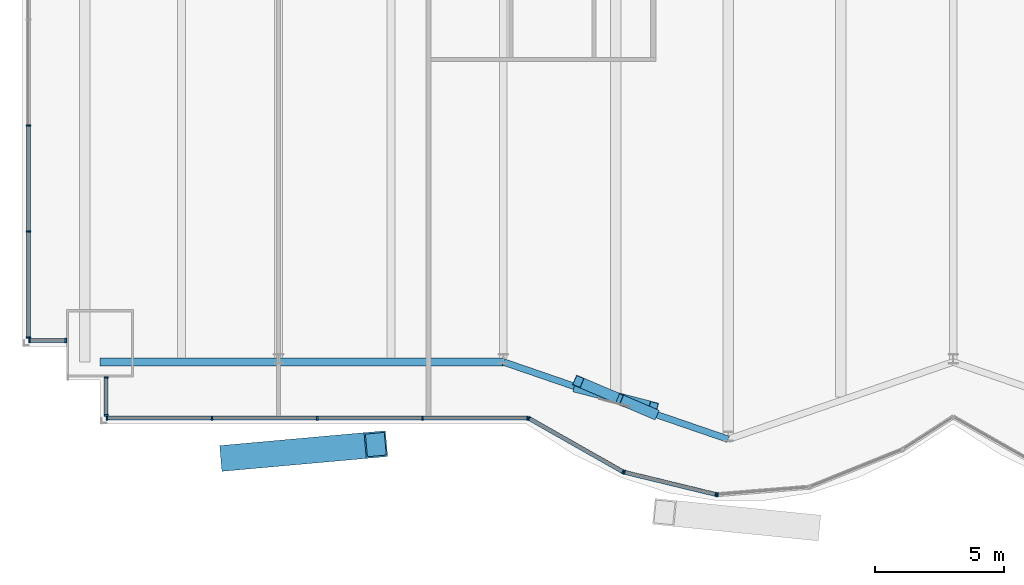
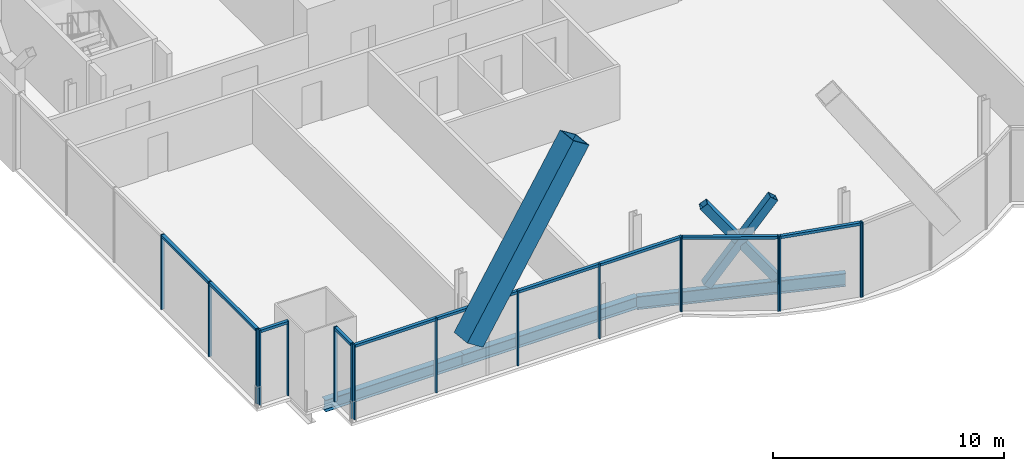
# One storey, part 5 of 22: 31 members, 3 beams, 5 elements without a shape of their own.
"""IFC4 building model written with IfcOpenShell, lengths in metres."""

from ifc_helpers import new_model, si_unit, direction, frame, origin, origin_2d, place, context, subcontext, project, spatial, rectangle, hollow_rectangle, i_section, extrude, material, material_profile, profile_set, type_object, element, aggregate, save


model = new_model("IFC4")

# Units and contexts
model_context = context("Model", 3, precision=1e-05, world=origin(), true_north=direction((0.0, 1.0)))
body_context = subcontext(model_context, "Body", "Model", "MODEL_VIEW")
ifc_project = project(units=[si_unit("LENGTHUNIT", "METRE"), si_unit("AREAUNIT", "SQUARE_METRE"), si_unit("VOLUMEUNIT", "CUBIC_METRE"), si_unit("PLANEANGLEUNIT", "RADIAN"), si_unit("MASSUNIT", "GRAM", prefix="KILO")], contexts=[model_context])

# Site, building, storey
site_placement = place(None, origin())
site = spatial("IfcSite", under=ifc_project, at=site_placement, CompositionType="ELEMENT")
building_placement = place(site_placement, origin())
building = spatial("IfcBuilding", under=site, at=building_placement, Name="Bicima Exchange Tower", CompositionType="ELEMENT")
storey_placement = place(building_placement, frame((0.0, 0.0, 144.5)))
storey = spatial("IfcBuildingStorey", under=building, at=storey_placement, Name="L31", CompositionType="ELEMENT", Elevation=144.5)

# Curtain wall, members
ifc_material_1 = material(Name="Anodised bronze aluminium", Category="aluminium")
curtain_wall_type_1 = type_object("IfcCurtainWallType", Name="End face glass wall", PredefinedType="NOTDEFINED", material=ifc_material_1)
curtain_wall_1_placement = place(storey_placement, origin())
curtain_wall_1 = element("IfcCurtainWall", 1, at=curtain_wall_1_placement, inside=storey, type_object=curtain_wall_type_1, Name="End face glass wall L31 run 2", PredefinedType="NOTDEFINED")
ifc_material_profile_1 = material_profile(ifc_material_1, rectangle(XDim=0.159912109375, YDim=0.06005859375, at=origin_2d()))
ifc_profile_set_1 = profile_set([ifc_material_profile_1], Name="Anodised bronze aluminium")
member_type_1 = type_object("IfcMemberType", Name="End face glass wall mullion 60 x 160", PredefinedType="MULLION", material=ifc_profile_set_1)
member_1_placement = place(storey_placement, frame((-35.77001953125, -24.347900390625, 0.0), z_axis=(0.0, 0.0, 1.0), x_axis=(1.0, 0.0, 0.0)))
member_1 = element("IfcMember", 2, at=member_1_placement, type_object=member_type_1, Name="End face glass wall mullion 4", PredefinedType="MULLION", context=body_context, shape_type="SweptSolid", body=[
    extrude(rectangle(XDim=0.159912109375, YDim=0.06005859375, at=origin_2d()), origin(), (0.0, 0.0, 1.0), 3.949951171875),
])
member_2_placement = place(storey_placement, frame((-35.77001953125, -28.4541015625, 0.0), z_axis=(0.0, 0.0, 1.0), x_axis=(1.0, 0.0, 0.0)))
member_2 = element("IfcMember", 3, at=member_2_placement, type_object=member_type_1, Name="End face glass wall mullion 5", PredefinedType="MULLION", context=body_context, shape_type="SweptSolid", body=[
    extrude(rectangle(XDim=0.159912109375, YDim=0.06005859375, at=origin_2d()), origin(), (0.0, 0.0, 1.0), 3.949951171875),
])
member_3_placement = place(storey_placement, frame((-35.77001953125, -32.56005859375, 0.0), z_axis=(0.0, 0.0, 1.0), x_axis=(1.0, 0.0, 0.0)))
member_3 = element("IfcMember", 4, at=member_3_placement, type_object=member_type_1, Name="End face glass wall mullion 6", PredefinedType="MULLION", context=body_context, shape_type="SweptSolid", body=[
    extrude(rectangle(XDim=0.159912109375, YDim=0.06005859375, at=origin_2d()), origin(), (0.0, 0.0, 1.0), 3.949951171875),
])
ifc_material_profile_2 = material_profile(ifc_material_1, rectangle(XDim=0.159912109375, YDim=0.139892578125, at=origin_2d()))
ifc_profile_set_2 = profile_set([ifc_material_profile_2], Name="Anodised bronze aluminium")
member_type_2 = type_object("IfcMemberType", Name="End face glass wall transom 140 x 160", PredefinedType="USERDEFINED", material=ifc_profile_set_2)
member_4_placement = place(storey_placement, frame((-35.77001953125, -24.3779296875, 3.8798828125), z_axis=(0.0, -1.0, 0.0), x_axis=(1.0, 0.0, 0.0)))
member_4 = element("IfcMember", 5, at=member_4_placement, type_object=member_type_2, Name="End face glass wall transom 4.1", ObjectType="TRANSOM", PredefinedType="USERDEFINED", context=body_context, shape_type="SweptSolid", body=[
    extrude(rectangle(XDim=0.159912109375, YDim=0.139892578125, at=origin_2d()), origin(), (0.0, 0.0, 1.0), 4.046142578125),
])
member_5_placement = place(storey_placement, frame((-35.77001953125, -28.48388671875, 3.8798828125), z_axis=(0.0, -1.0, 0.0), x_axis=(1.0, 0.0, 0.0)))
member_5 = element("IfcMember", 6, at=member_5_placement, type_object=member_type_2, Name="End face glass wall transom 5.1", ObjectType="TRANSOM", PredefinedType="USERDEFINED", context=body_context, shape_type="SweptSolid", body=[
    extrude(rectangle(XDim=0.159912109375, YDim=0.139892578125, at=origin_2d()), origin(), (0.0, 0.0, 1.0), 4.046142578125),
])
aggregate(curtain_wall_1, [member_1, member_2, member_3, member_4, member_5])

# Member
ifc_material_2 = material(Name="Steel ASTM A572 Gr 50", Category="steel")
ifc_material_profile_3 = material_profile(ifc_material_2, hollow_rectangle(XDim=1.0, YDim=1.0, WallThickness=0.06005859375, at=origin_2d()))
ifc_profile_set_3 = profile_set([ifc_material_profile_3], Name="Steel ASTM A572 Gr 50")
member_type_3 = type_object("IfcMemberType", Name="Exo mega brace BOX 1000x1000x60", PredefinedType="BRACE", material=ifc_profile_set_3)
member_6_placement = place(storey_placement, frame((-27.916748046875, -37.19677734375, 3.416748046875), z_axis=(0.552134579453, 0.049540015612, 0.832281919199), x_axis=(-0.089365532808, 0.995998896358, 0.0)))
element("IfcMember", 7, at=member_6_placement, inside=storey, type_object=member_type_3, Name="Exo mega brace front", PredefinedType="BRACE", context=body_context, shape_type="SweptSolid", body=[
    extrude(hollow_rectangle(XDim=1.0, YDim=1.0, WallThickness=0.06005859375, at=origin_2d()), origin(), (0.0, 0.0, 1.0), 10.112548828125),
])

# Beams
ifc_material_3 = material(Name="Steel ASTM A992 Gr 50", Category="steel")
ifc_material_profile_4 = material_profile(ifc_material_3, i_section(OverallWidth=0.3251953125, OverallDepth=0.612060546875, WebThickness=0.0126953125, FlangeThickness=0.01904296875, at=origin_2d()))
ifc_profile_set_4 = profile_set([ifc_material_profile_4], Name="Steel ASTM A992 Gr 50")
beam_type_1 = type_object("IfcBeamType", Name="Front girder W24x104", PredefinedType="BEAM", material=ifc_profile_set_4)
beam_1_placement = place(storey_placement, frame((-33.0, -33.5, -0.4560546875), z_axis=(1.0, 0.0, 0.0), x_axis=(0.0, 1.0, 0.0)))
element("IfcBeam", 8, at=beam_1_placement, inside=storey, type_object=beam_type_1, Name="Front girder", PredefinedType="BEAM", context=body_context, shape_type="SweptSolid", body=[
    extrude(i_section(OverallWidth=0.3251953125, OverallDepth=0.612060546875, WebThickness=0.0126953125, FlangeThickness=0.01904296875, at=origin_2d()), origin(), (0.0, 0.0, 1.0), 6.89990234375),
])
beam_2_placement = place(storey_placement, frame((-26.10009765625, -33.5, -0.4560546875), z_axis=(1.0, 0.0, 0.0), x_axis=(0.0, 1.0, 0.0)))
element("IfcBeam", 9, at=beam_2_placement, inside=storey, type_object=beam_type_1, Name="Front girder", PredefinedType="BEAM", context=body_context, shape_type="SweptSolid", body=[
    extrude(i_section(OverallWidth=0.3251953125, OverallDepth=0.612060546875, WebThickness=0.0126953125, FlangeThickness=0.01904296875, at=origin_2d()), origin(), (0.0, 0.0, 1.0), 8.7001953125),
])
ifc_material_profile_5 = material_profile(ifc_material_3, i_section(OverallWidth=0.256591796875, OverallDepth=0.693359375, WebThickness=0.014404296875, FlangeThickness=0.023681640625, at=origin_2d()))
ifc_profile_set_5 = profile_set([ifc_material_profile_5], Name="Steel ASTM A992 Gr 50")
beam_type_2 = type_object("IfcBeamType", Name="Front girder W27x114", PredefinedType="BEAM", material=ifc_profile_set_5)
beam_3_placement = place(storey_placement, frame((-17.39990234375, -33.5, -0.49658203125), z_axis=(0.945666456746, -0.325138359143, 0.0), x_axis=(0.325138359143, 0.945666456746, 0.0)))
element("IfcBeam", 10, at=beam_3_placement, inside=storey, type_object=beam_type_2, Name="Front girder", PredefinedType="BEAM", context=body_context, shape_type="SweptSolid", body=[
    extrude(i_section(OverallWidth=0.256591796875, OverallDepth=0.693359375, WebThickness=0.014404296875, FlangeThickness=0.023681640625, at=origin_2d()), origin(), (0.0, 0.0, 1.0), 9.19970703125),
])

# Curtain wall, members
curtain_wall_type_2 = type_object("IfcCurtainWallType", Name="Front glass wall", PredefinedType="NOTDEFINED", material=ifc_material_1)
curtain_wall_2_placement = place(storey_placement, origin())
curtain_wall_2 = element("IfcCurtainWall", 11, at=curtain_wall_2_placement, inside=storey, type_object=curtain_wall_type_2, Name="Front glass wall L31 run 3", PredefinedType="NOTDEFINED")
member_type_4 = type_object("IfcMemberType", Name="Front glass wall mullion 60 x 160", PredefinedType="MULLION", material=ifc_profile_set_1)
member_7_placement = place(storey_placement, frame((-35.739990234375, -32.669921875, 0.0), z_axis=(0.0, 0.0, 1.0), x_axis=(0.0, 1.0, 0.0)))
member_7 = element("IfcMember", 12, at=member_7_placement, type_object=member_type_4, Name="Front glass wall mullion 1", PredefinedType="MULLION", context=body_context, shape_type="SweptSolid", body=[
    extrude(rectangle(XDim=0.159912109375, YDim=0.06005859375, at=origin_2d()), origin(), (0.0, 0.0, 1.0), 3.949951171875),
])
member_8_placement = place(storey_placement, frame((-34.330078125, -32.669921875, 0.0), z_axis=(0.0, 0.0, 1.0), x_axis=(0.0, 1.0, 0.0)))
member_8 = element("IfcMember", 13, at=member_8_placement, type_object=member_type_4, Name="Front glass wall mullion 2", PredefinedType="MULLION", context=body_context, shape_type="SweptSolid", body=[
    extrude(rectangle(XDim=0.159912109375, YDim=0.06005859375, at=origin_2d()), origin(), (0.0, 0.0, 1.0), 3.949951171875),
])

curtain_wall_3_placement = place(storey_placement, origin())
curtain_wall_3 = element("IfcCurtainWall", 14, at=curtain_wall_3_placement, inside=storey, type_object=curtain_wall_type_2, Name="Front glass wall L31 run 4", PredefinedType="NOTDEFINED")
member_9_placement = place(storey_placement, frame((-32.77001953125, -34.10791015625, 0.0), z_axis=(0.0, 0.0, 1.0), x_axis=(1.0, 0.0, 0.0)))
member_9 = element("IfcMember", 15, at=member_9_placement, type_object=member_type_4, Name="Front glass wall mullion 1", PredefinedType="MULLION", context=body_context, shape_type="SweptSolid", body=[
    extrude(rectangle(XDim=0.159912109375, YDim=0.06005859375, at=origin_2d()), origin(), (0.0, 0.0, 1.0), 3.949951171875),
])
member_10_placement = place(storey_placement, frame((-32.77001953125, -35.56005859375, 0.0), z_axis=(0.0, 0.0, 1.0), x_axis=(1.0, 0.0, 0.0)))
member_10 = element("IfcMember", 16, at=member_10_placement, type_object=member_type_4, Name="Front glass wall mullion 2", PredefinedType="MULLION", context=body_context, shape_type="SweptSolid", body=[
    extrude(rectangle(XDim=0.159912109375, YDim=0.06005859375, at=origin_2d()), origin(), (0.0, 0.0, 1.0), 3.949951171875),
])

curtain_wall_4_placement = place(storey_placement, origin())
curtain_wall_4 = element("IfcCurtainWall", 17, at=curtain_wall_4_placement, inside=storey, type_object=curtain_wall_type_2, Name="Front glass wall L31 run 5", PredefinedType="NOTDEFINED")
member_11_placement = place(storey_placement, frame((-32.739990234375, -35.669921875, 0.0), z_axis=(0.0, 0.0, 1.0), x_axis=(0.0, 1.0, 0.0)))
member_11 = element("IfcMember", 18, at=member_11_placement, type_object=member_type_4, Name="Front glass wall mullion 1", PredefinedType="MULLION", context=body_context, shape_type="SweptSolid", body=[
    extrude(rectangle(XDim=0.159912109375, YDim=0.06005859375, at=origin_2d()), origin(), (0.0, 0.0, 1.0), 3.949951171875),
])
member_12_placement = place(storey_placement, frame((-28.67041015625, -35.669921875, 0.0), z_axis=(0.0, 0.0, 1.0), x_axis=(0.0, 1.0, 0.0)))
member_12 = element("IfcMember", 19, at=member_12_placement, type_object=member_type_4, Name="Front glass wall mullion 2", PredefinedType="MULLION", context=body_context, shape_type="SweptSolid", body=[
    extrude(rectangle(XDim=0.159912109375, YDim=0.06005859375, at=origin_2d()), origin(), (0.0, 0.0, 1.0), 3.949951171875),
])
member_13_placement = place(storey_placement, frame((-24.60107421875, -35.669921875, 0.0), z_axis=(0.0, 0.0, 1.0), x_axis=(0.0, 1.0, 0.0)))
member_13 = element("IfcMember", 20, at=member_13_placement, type_object=member_type_4, Name="Front glass wall mullion 3", PredefinedType="MULLION", context=body_context, shape_type="SweptSolid", body=[
    extrude(rectangle(XDim=0.159912109375, YDim=0.06005859375, at=origin_2d()), origin(), (0.0, 0.0, 1.0), 3.949951171875),
])
member_14_placement = place(storey_placement, frame((-20.531494140625, -35.669921875, 0.0), z_axis=(0.0, 0.0, 1.0), x_axis=(0.0, 1.0, 0.0)))
member_14 = element("IfcMember", 21, at=member_14_placement, type_object=member_type_4, Name="Front glass wall mullion 4", PredefinedType="MULLION", context=body_context, shape_type="SweptSolid", body=[
    extrude(rectangle(XDim=0.159912109375, YDim=0.06005859375, at=origin_2d()), origin(), (0.0, 0.0, 1.0), 3.949951171875),
])
member_15_placement = place(storey_placement, frame((-16.462158203125, -35.669921875, 0.0), z_axis=(0.0, 0.0, 1.0), x_axis=(0.0, 1.0, 0.0)))
member_15 = element("IfcMember", 22, at=member_15_placement, type_object=member_type_4, Name="Front glass wall mullion 5", PredefinedType="MULLION", context=body_context, shape_type="SweptSolid", body=[
    extrude(rectangle(XDim=0.159912109375, YDim=0.06005859375, at=origin_2d()), origin(), (0.0, 0.0, 1.0), 3.949951171875),
])

curtain_wall_5_placement = place(storey_placement, origin())
curtain_wall_5 = element("IfcCurtainWall", 23, at=curtain_wall_5_placement, inside=storey, type_object=curtain_wall_type_2, Name="Front glass wall L31 run 6", PredefinedType="NOTDEFINED")
member_16_placement = place(storey_placement, frame((-16.406005859375, -35.684814453125, 0.0), z_axis=(0.0, 0.0, 1.0), x_axis=(0.493395449343, 0.869805110681, 0.0)))
member_16 = element("IfcMember", 24, at=member_16_placement, type_object=member_type_4, Name="Front glass wall mullion 1", PredefinedType="MULLION", context=body_context, shape_type="SweptSolid", body=[
    extrude(rectangle(XDim=0.159912109375, YDim=0.06005859375, at=origin_2d()), origin(), (0.0, 0.0, 1.0), 3.949951171875),
])
member_17_placement = place(storey_placement, frame((-12.7734375, -37.745361328125, 0.0), z_axis=(0.0, 0.0, 1.0), x_axis=(0.493395449343, 0.869805110681, 0.0)))
member_17 = element("IfcMember", 25, at=member_17_placement, type_object=member_type_4, Name="Front glass wall mullion 2", PredefinedType="MULLION", context=body_context, shape_type="SweptSolid", body=[
    extrude(rectangle(XDim=0.159912109375, YDim=0.06005859375, at=origin_2d()), origin(), (0.0, 0.0, 1.0), 3.949951171875),
])
member_18_placement = place(storey_placement, frame((-12.718017578125, -37.767333984375, 0.0), z_axis=(0.0, 0.0, 1.0), x_axis=(0.235681529503, 0.971830343553, 0.0)))
member_18 = element("IfcMember", 26, at=member_18_placement, type_object=member_type_4, Name="Front glass wall mullion 1", PredefinedType="MULLION", context=body_context, shape_type="SweptSolid", body=[
    extrude(rectangle(XDim=0.159912109375, YDim=0.06005859375, at=origin_2d()), origin(), (0.0, 0.0, 1.0), 3.949951171875),
])
member_19_placement = place(storey_placement, frame((-9.177490234375, -38.6259765625, 0.0), z_axis=(0.0, 0.0, 1.0), x_axis=(0.235681529503, 0.971830343553, 0.0)))
member_19 = element("IfcMember", 27, at=member_19_placement, type_object=member_type_4, Name="Front glass wall mullion 2", PredefinedType="MULLION", context=body_context, shape_type="SweptSolid", body=[
    extrude(rectangle(XDim=0.159912109375, YDim=0.06005859375, at=origin_2d()), origin(), (0.0, 0.0, 1.0), 3.949951171875),
])
member_20_placement = place(storey_placement, frame((-9.118408203125, -38.630615234375, 0.0), z_axis=(0.0, 0.0, 1.0), x_axis=(-0.080588612633, 0.99674744821, 0.0)))
member_20 = element("IfcMember", 28, at=member_20_placement, type_object=member_type_4, Name="Front glass wall mullion 1", PredefinedType="MULLION", context=body_context, shape_type="SweptSolid", body=[
    extrude(rectangle(XDim=0.159912109375, YDim=0.06005859375, at=origin_2d()), origin(), (0.0, 0.0, 1.0), 3.949951171875),
])

# Member
member_type_5 = type_object("IfcMemberType", Name="Front glass wall transom 140 x 160", PredefinedType="USERDEFINED", material=ifc_profile_set_2)
member_21_placement = place(storey_placement, frame((-35.7099609375, -32.669921875, 3.8798828125), z_axis=(1.0, 0.0, 0.0), x_axis=(0.0, 1.0, 0.0)))
member_21 = element("IfcMember", 29, at=member_21_placement, type_object=member_type_5, Name="Front glass wall transom 1.1", ObjectType="TRANSOM", PredefinedType="USERDEFINED", context=body_context, shape_type="SweptSolid", body=[
    extrude(rectangle(XDim=0.159912109375, YDim=0.139892578125, at=origin_2d()), origin(), (0.0, 0.0, 1.0), 1.349853515625),
])

aggregate(curtain_wall_2, [member_7, member_8, member_21])

member_22_placement = place(storey_placement, frame((-32.77001953125, -34.137939453125, 3.8798828125), z_axis=(0.0, -1.0, 0.0), x_axis=(1.0, 0.0, 0.0)))
member_22 = element("IfcMember", 30, at=member_22_placement, type_object=member_type_5, Name="Front glass wall transom 1.1", ObjectType="TRANSOM", PredefinedType="USERDEFINED", context=body_context, shape_type="SweptSolid", body=[
    extrude(rectangle(XDim=0.159912109375, YDim=0.139892578125, at=origin_2d()), origin(), (0.0, 0.0, 1.0), 1.39208984375),
])

aggregate(curtain_wall_3, [member_9, member_10, member_22])

member_23_placement = place(storey_placement, frame((-32.7099609375, -35.669921875, 3.8798828125), z_axis=(1.0, 0.0, 0.0), x_axis=(0.0, 1.0, 0.0)))
member_23 = element("IfcMember", 31, at=member_23_placement, type_object=member_type_5, Name="Front glass wall transom 1.1", ObjectType="TRANSOM", PredefinedType="USERDEFINED", context=body_context, shape_type="SweptSolid", body=[
    extrude(rectangle(XDim=0.159912109375, YDim=0.139892578125, at=origin_2d()), origin(), (0.0, 0.0, 1.0), 4.009521484375),
])

member_24_placement = place(storey_placement, frame((-28.640380859375, -35.669921875, 3.8798828125), z_axis=(1.0, 0.0, 0.0), x_axis=(0.0, 1.0, 0.0)))
member_24 = element("IfcMember", 32, at=member_24_placement, type_object=member_type_5, Name="Front glass wall transom 2.1", ObjectType="TRANSOM", PredefinedType="USERDEFINED", context=body_context, shape_type="SweptSolid", body=[
    extrude(rectangle(XDim=0.159912109375, YDim=0.139892578125, at=origin_2d()), origin(), (0.0, 0.0, 1.0), 4.00927734375),
])

member_25_placement = place(storey_placement, frame((-24.571044921875, -35.669921875, 3.8798828125), z_axis=(1.0, 0.0, 0.0), x_axis=(0.0, 1.0, 0.0)))
member_25 = element("IfcMember", 33, at=member_25_placement, type_object=member_type_5, Name="Front glass wall transom 3.1", ObjectType="TRANSOM", PredefinedType="USERDEFINED", context=body_context, shape_type="SweptSolid", body=[
    extrude(rectangle(XDim=0.159912109375, YDim=0.139892578125, at=origin_2d()), origin(), (0.0, 0.0, 1.0), 4.009521484375),
])

member_26_placement = place(storey_placement, frame((-20.501708984375, -35.669921875, 3.8798828125), z_axis=(1.0, 0.0, 0.0), x_axis=(0.0, 1.0, 0.0)))
member_26 = element("IfcMember", 34, at=member_26_placement, type_object=member_type_5, Name="Front glass wall transom 4.1", ObjectType="TRANSOM", PredefinedType="USERDEFINED", context=body_context, shape_type="SweptSolid", body=[
    extrude(rectangle(XDim=0.159912109375, YDim=0.139892578125, at=origin_2d()), origin(), (0.0, 0.0, 1.0), 4.009521484375),
])

aggregate(curtain_wall_4, [member_11, member_12, member_13, member_14, member_15, member_23, member_24, member_25, member_26])

member_27_placement = place(storey_placement, frame((-16.3798828125, -35.69970703125, 3.8798828125), z_axis=(0.869797371721, -0.49340909208, 0.0), x_axis=(0.49340909208, 0.869797371721, 0.0)))
member_27 = element("IfcMember", 35, at=member_27_placement, type_object=member_type_5, Name="Front glass wall transom 1.1", ObjectType="TRANSOM", PredefinedType="USERDEFINED", context=body_context, shape_type="SweptSolid", body=[
    extrude(rectangle(XDim=0.159912109375, YDim=0.139892578125, at=origin_2d()), origin(), (0.0, 0.0, 1.0), 4.1162109375),
])

member_28_placement = place(storey_placement, frame((-12.68896484375, -37.7744140625, 3.8798828125), z_axis=(0.971833557815, -0.235668275132, 0.0), x_axis=(0.235668275132, 0.971833557815, 0.0)))
member_28 = element("IfcMember", 36, at=member_28_placement, type_object=member_type_5, Name="Front glass wall transom 1.1", ObjectType="TRANSOM", PredefinedType="USERDEFINED", context=body_context, shape_type="SweptSolid", body=[
    extrude(rectangle(XDim=0.159912109375, YDim=0.139892578125, at=origin_2d()), origin(), (0.0, 0.0, 1.0), 3.583251953125),
])

aggregate(curtain_wall_5, [member_16, member_17, member_27, member_18, member_19, member_28, member_20])

# Members
ifc_material_profile_6 = material_profile(ifc_material_2, hollow_rectangle(XDim=0.406494140625, YDim=0.406494140625, WallThickness=0.017822265625, at=origin_2d()))
ifc_profile_set_6 = profile_set([ifc_material_profile_6], Name="Steel ASTM A572 Gr 50")
member_type_6 = type_object("IfcMemberType", Name="Mega brace HSS16x16x3/4", PredefinedType="BRACE", material=ifc_profile_set_6)
member_29_placement = place(storey_placement, frame((-14.5, -34.4970703125, 0.0), z_axis=(0.571060084049, -0.14826985176, 0.807407227776), x_axis=(0.251307155067, 0.967907389068, 0.0)))
element("IfcMember", 37, at=member_29_placement, inside=storey, type_object=member_type_6, Name="Mega brace front", PredefinedType="BRACE", context=body_context, shape_type="SweptSolid", body=[
    extrude(hollow_rectangle(XDim=0.406494140625, YDim=0.406494140625, WallThickness=0.017822265625, at=origin_2d()), origin(), (0.0, 0.0, 1.0), 5.078125),
])
member_30_placement = place(storey_placement, frame((-11.60009765625, -35.493896484375, 0.0), z_axis=(-0.560540440557, 0.239861482741, 0.792629095856), x_axis=(-0.393406365613, -0.919364689063, 0.0)))
element("IfcMember", 38, at=member_30_placement, inside=storey, type_object=member_type_6, Name="Mega brace front", PredefinedType="BRACE", context=body_context, shape_type="SweptSolid", body=[
    extrude(hollow_rectangle(XDim=0.406494140625, YDim=0.406494140625, WallThickness=0.017822265625, at=origin_2d()), origin(), (0.0, 0.0, 1.0), 2.449951171875),
])
member_31_placement = place(storey_placement, frame((-13.12646484375, -34.8408203125, 2.158203125), z_axis=(-0.560595374558, 0.239941994656, 0.792565874375), x_axis=(-0.393485379474, -0.919330874136, 0.0)))
element("IfcMember", 39, at=member_31_placement, inside=storey, type_object=member_type_6, Name="Mega brace front", PredefinedType="BRACE", context=body_context, shape_type="SweptSolid", body=[
    extrude(hollow_rectangle(XDim=0.406494140625, YDim=0.406494140625, WallThickness=0.017822265625, at=origin_2d()), origin(), (0.0, 0.0, 1.0), 2.4501953125),
])

save(model, "model.ifc")
